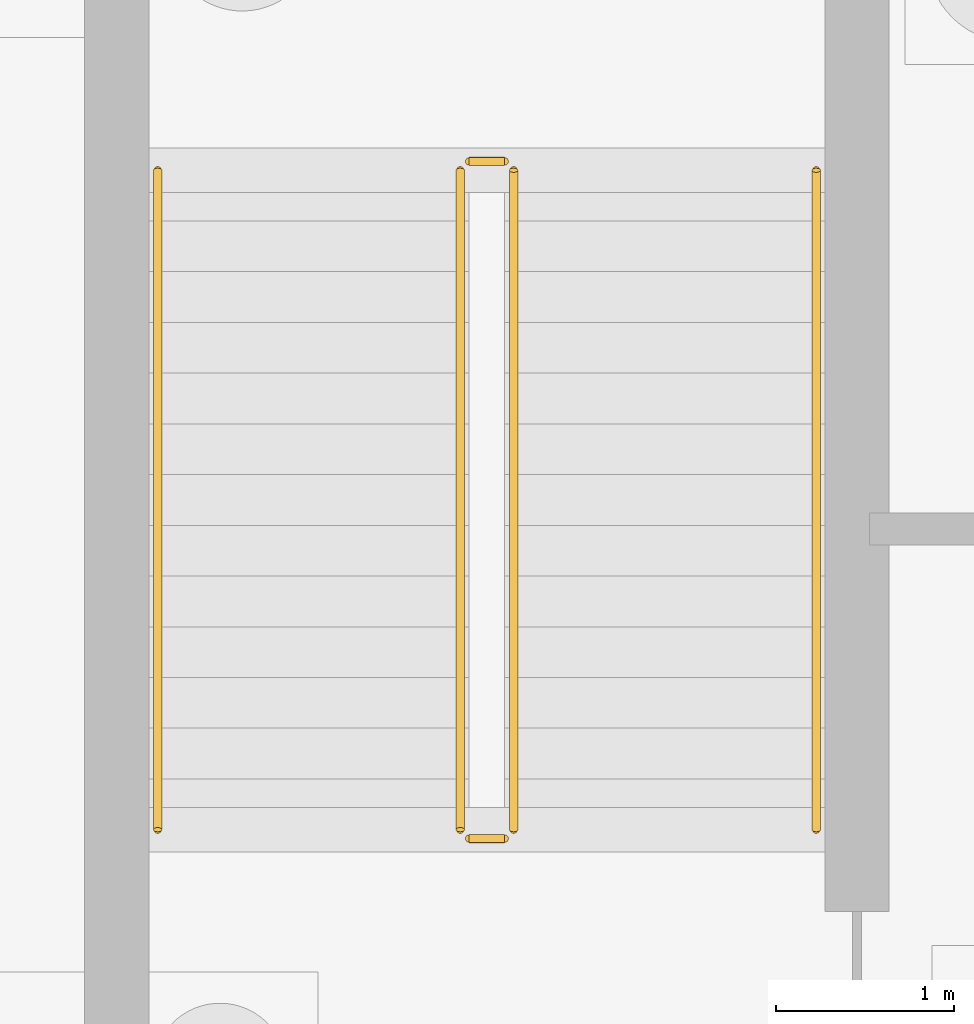
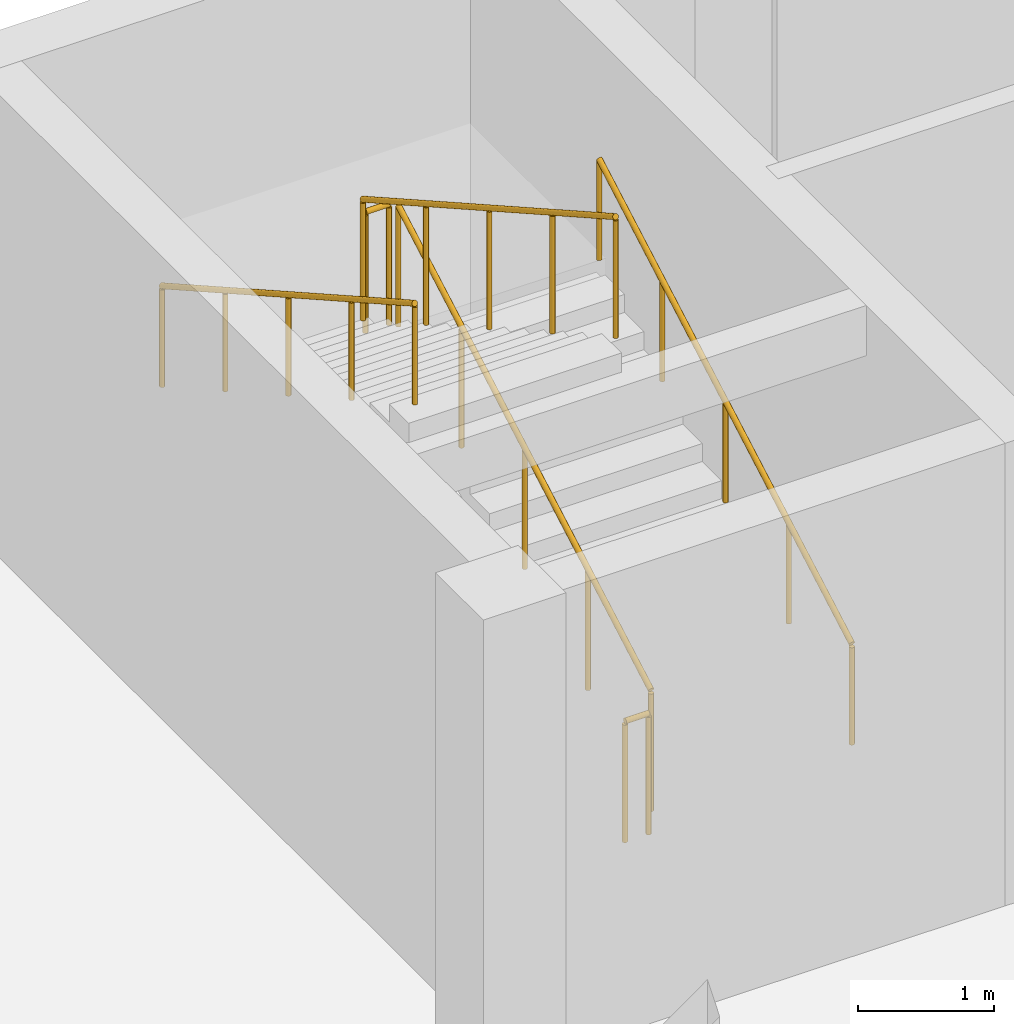
# One storey, part 22 of 25: 6 railings.
"""IFC4 building model written with IfcOpenShell, lengths in metres."""

from ifc_helpers import new_model, si_unit, direction, frame, origin, origin_2d, place, context, subcontext, project, spatial, circle, extrude, material, type_object, element, save


model = new_model("IFC4")

# Units and contexts
model_context = context("Model", 3, precision=1e-05, world=origin(), true_north=direction((0.0, 1.0)))
body_context = subcontext(model_context, "Body", "Model", "MODEL_VIEW")
ifc_project = project(units=[si_unit("LENGTHUNIT", "METRE"), si_unit("AREAUNIT", "SQUARE_METRE"), si_unit("VOLUMEUNIT", "CUBIC_METRE"), si_unit("PLANEANGLEUNIT", "RADIAN"), si_unit("MASSUNIT", "GRAM", prefix="KILO")], contexts=[model_context])

# Site, building, storey
site_placement = place(None, origin())
site = spatial("IfcSite", under=ifc_project, at=site_placement, CompositionType="ELEMENT")
building_placement = place(site_placement, origin())
building = spatial("IfcBuilding", under=site, at=building_placement, Name="Qaldarim Faculty of Natural and Applied Sciences", CompositionType="ELEMENT")
storey_placement = place(building_placement, frame((0.0, 0.0, -4.5)))
storey = spatial("IfcBuildingStorey", under=building, at=storey_placement, Name="B01", CompositionType="ELEMENT", Elevation=-4.5)

# Railings
ifc_material = material(Name="Architectural stainless steel 316", Category="steel")
railing_type_1 = type_object("IfcRailingType", Name="GuardBalustrade-1100", PredefinedType="BALUSTRADE", material=ifc_material)
railing_1_placement = place(storey_placement, frame((101.60009765625, 111.5, 0.159912109375)))
element("IfcRailing", 1, at=railing_1_placement, inside=storey, type_object=railing_type_1, Name="ST-B1 B01 stair well guard 1", PredefinedType="BALUSTRADE", context=body_context, shape_type="SweptSolid", body=[
    extrude(circle(Radius=0.02392578125, at=origin_2d()), frame((0.0, 0.0, 1.076171875), z_axis=(0.0, 0.870974059579, 0.491329001322), x_axis=(-1.0, 0.0, 0.0)), (0.0, 0.0, 1.0), 4.25390625),
    extrude(circle(Radius=0.02099609375, at=origin_2d()), origin(), (0.0, 0.0, 1.0), 1.052001953125),
    extrude(circle(Radius=0.02099609375, at=origin_2d()), frame((0.0, 0.92626953125, 0.5224609375)), (0.0, 0.0, 1.0), 1.052001953125),
    extrude(circle(Radius=0.02099609375, at=origin_2d()), frame((0.0, 1.8525390625, 1.044921875)), (0.0, 0.0, 1.0), 1.052001953125),
    extrude(circle(Radius=0.02099609375, at=origin_2d()), frame((0.0, 2.77880859375, 1.567626953125)), (0.0, 0.0, 1.0), 1.052001953125),
    extrude(circle(Radius=0.02099609375, at=origin_2d()), frame((0.0, 3.705078125, 2.090087890625)), (0.0, 0.0, 1.0), 1.052001953125),
])
railing_2_placement = place(storey_placement, frame((101.550048828125, 115.2548828125, 2.25)))
element("IfcRailing", 2, at=railing_2_placement, inside=storey, type_object=railing_type_1, Name="ST-B1 B01 stair well guard 2", PredefinedType="BALUSTRADE", context=body_context, shape_type="SweptSolid", body=[
    extrude(circle(Radius=0.02392578125, at=origin_2d()), frame((0.0, 0.0, 1.076171875), z_axis=(-1.0, 0.0, 0.0), x_axis=(0.0, -1.0, 0.0)), (0.0, 0.0, 1.0), 0.199951171875),
    extrude(circle(Radius=0.02099609375, at=origin_2d()), origin(), (0.0, 0.0, 1.0), 1.052001953125),
    extrude(circle(Radius=0.02099609375, at=origin_2d()), frame((-0.199951171875, 0.0, 0.0)), (0.0, 0.0, 1.0), 1.052001953125),
])
railing_3_placement = place(storey_placement, frame((101.300048828125, 115.205078125, 2.409912109375)))
element("IfcRailing", 3, at=railing_3_placement, inside=storey, type_object=railing_type_1, Name="ST-B1 B01 stair well guard 3", PredefinedType="BALUSTRADE", context=body_context, shape_type="SweptSolid", body=[
    extrude(circle(Radius=0.02392578125, at=origin_2d()), frame((0.0, 0.0, 1.076171875), z_axis=(0.0, -0.870974059579, 0.491329001322), x_axis=(1.0, 0.0, 0.0)), (0.0, 0.0, 1.0), 4.25390625),
    extrude(circle(Radius=0.02099609375, at=origin_2d()), origin(), (0.0, 0.0, 1.0), 1.052001953125),
    extrude(circle(Radius=0.02099609375, at=origin_2d()), frame((0.0, -0.92626953125, 0.5224609375)), (0.0, 0.0, 1.0), 1.052001953125),
    extrude(circle(Radius=0.02099609375, at=origin_2d()), frame((0.0, -1.8525390625, 1.044921875)), (0.0, 0.0, 1.0), 1.052001953125),
    extrude(circle(Radius=0.02099609375, at=origin_2d()), frame((0.0, -2.77880859375, 1.567626953125)), (0.0, 0.0, 1.0), 1.052001953125),
    extrude(circle(Radius=0.02099609375, at=origin_2d()), frame((0.0, -3.705078125, 2.090087890625)), (0.0, 0.0, 1.0), 1.052001953125),
])
railing_4_placement = place(storey_placement, frame((101.550048828125, 111.449951171875, 0.0)))
element("IfcRailing", 4, at=railing_4_placement, inside=storey, type_object=railing_type_1, Name="ST-B1 B01 stair well guard 4", PredefinedType="BALUSTRADE", context=body_context, shape_type="SweptSolid", body=[
    extrude(circle(Radius=0.02392578125, at=origin_2d()), frame((0.0, 0.0, 1.076171875), z_axis=(-1.0, 0.0, 0.0), x_axis=(0.0, -1.0, 0.0)), (0.0, 0.0, 1.0), 0.199951171875),
    extrude(circle(Radius=0.02099609375, at=origin_2d()), origin(), (0.0, 0.0, 1.0), 1.052001953125),
    extrude(circle(Radius=0.02099609375, at=origin_2d()), frame((-0.199951171875, 0.0, 0.0)), (0.0, 0.0, 1.0), 1.052001953125),
])
railing_type_2 = type_object("IfcRailingType", Name="StairHandrail-920", PredefinedType="HANDRAIL", material=ifc_material)
railing_5_placement = place(storey_placement, frame((103.300048828125, 111.5, 0.159912109375)))
element("IfcRailing", 5, at=railing_5_placement, inside=storey, type_object=railing_type_2, Name="ST-B1 B01 stair handrail 1", PredefinedType="HANDRAIL", context=body_context, shape_type="SweptSolid", body=[
    extrude(circle(Radius=0.02392578125, at=origin_2d()), frame((0.0, 0.0, 0.89599609375), z_axis=(0.0, 0.870974059579, 0.491329001322), x_axis=(-1.0, 0.0, 0.0)), (0.0, 0.0, 1.0), 4.25390625),
    extrude(circle(Radius=0.02099609375, at=origin_2d()), origin(), (0.0, 0.0, 1.0), 0.871826171875),
    extrude(circle(Radius=0.02099609375, at=origin_2d()), frame((0.0, 0.92626953125, 0.5224609375)), (0.0, 0.0, 1.0), 0.871826171875),
    extrude(circle(Radius=0.02099609375, at=origin_2d()), frame((0.0, 1.8525390625, 1.044921875)), (0.0, 0.0, 1.0), 0.871826171875),
    extrude(circle(Radius=0.02099609375, at=origin_2d()), frame((0.0, 2.77880859375, 1.567626953125)), (0.0, 0.0, 1.0), 0.871826171875),
    extrude(circle(Radius=0.02099609375, at=origin_2d()), frame((0.0, 3.705078125, 2.090087890625)), (0.0, 0.0, 1.0), 0.871826171875),
])
railing_6_placement = place(storey_placement, frame((99.60009765625, 115.205078125, 2.409912109375)))
element("IfcRailing", 6, at=railing_6_placement, inside=storey, type_object=railing_type_2, Name="ST-B1 B01 stair handrail 2", PredefinedType="HANDRAIL", context=body_context, shape_type="SweptSolid", body=[
    extrude(circle(Radius=0.02392578125, at=origin_2d()), frame((0.0, 0.0, 0.89599609375), z_axis=(0.0, -0.870974059579, 0.491329001322), x_axis=(1.0, 0.0, 0.0)), (0.0, 0.0, 1.0), 4.25390625),
    extrude(circle(Radius=0.02099609375, at=origin_2d()), origin(), (0.0, 0.0, 1.0), 0.871826171875),
    extrude(circle(Radius=0.02099609375, at=origin_2d()), frame((0.0, -0.92626953125, 0.5224609375)), (0.0, 0.0, 1.0), 0.871826171875),
    extrude(circle(Radius=0.02099609375, at=origin_2d()), frame((0.0, -1.8525390625, 1.044921875)), (0.0, 0.0, 1.0), 0.871826171875),
    extrude(circle(Radius=0.02099609375, at=origin_2d()), frame((0.0, -2.77880859375, 1.567626953125)), (0.0, 0.0, 1.0), 0.871826171875),
    extrude(circle(Radius=0.02099609375, at=origin_2d()), frame((0.0, -3.705078125, 2.090087890625)), (0.0, 0.0, 1.0), 0.871826171875),
])

save(model, "model.ifc")
